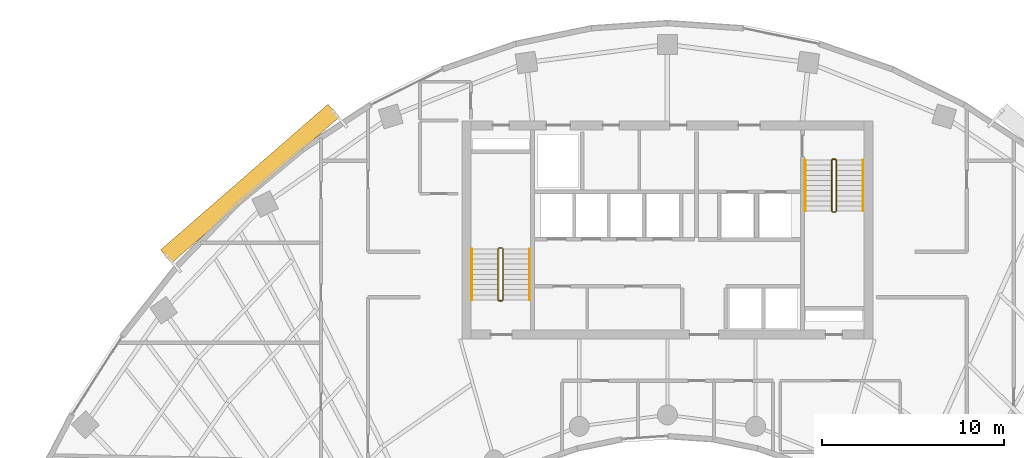
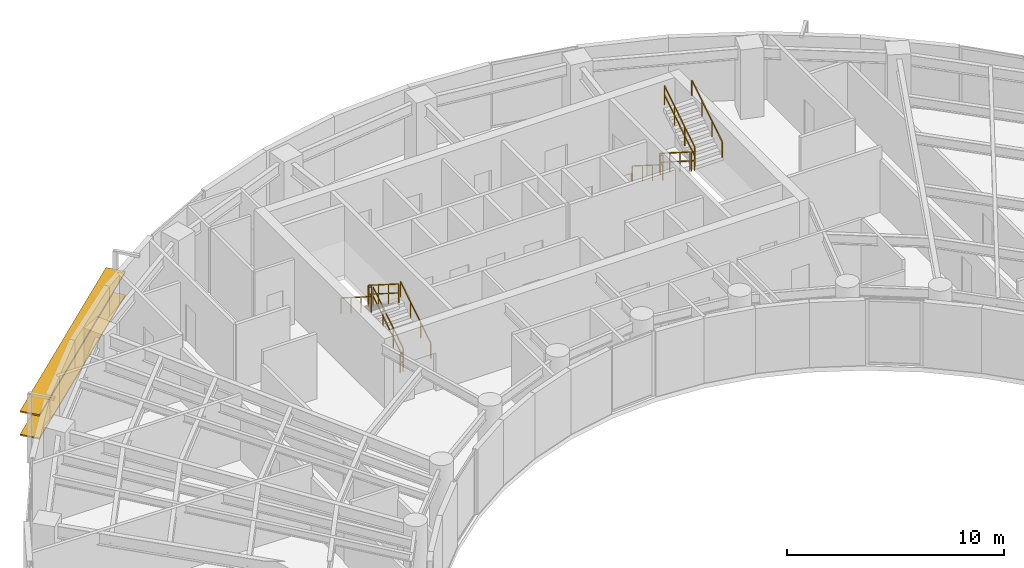
# One storey, part 12 of 13: 12 railings, 2 shading devices.
"""IFC4 building model written with IfcOpenShell, lengths in metres."""

from ifc_helpers import new_model, si_unit, direction, frame, origin, origin_2d, place, context, subcontext, project, spatial, rectangle, extrude, source, transform, mapped, material, material_profile, profile_set, type_object, type_shapes, element, save


model = new_model("IFC4")

# Units and contexts
model_context = context("Model", 3, precision=1e-05, world=origin(), true_north=direction((0.0, 1.0)))
body_context = subcontext(model_context, "Body", "Model", "MODEL_VIEW")
ifc_project = project(units=[si_unit("LENGTHUNIT", "METRE"), si_unit("AREAUNIT", "SQUARE_METRE"), si_unit("VOLUMEUNIT", "CUBIC_METRE"), si_unit("PLANEANGLEUNIT", "RADIAN"), si_unit("MASSUNIT", "GRAM", prefix="KILO")], contexts=[model_context])

# Site, building, storey
site_placement = place(None, origin())
site = spatial("IfcSite", under=ifc_project, at=site_placement, CompositionType="ELEMENT")
building_placement = place(site_placement, origin())
building = spatial("IfcBuilding", under=site, at=building_placement, Name="Breltana Convention Tower", CompositionType="ELEMENT")
storey_placement = place(building_placement, frame((0.0, 0.0, 166.199951171875)))
storey = spatial("IfcBuildingStorey", under=building, at=storey_placement, Name="L40", CompositionType="ELEMENT", Elevation=166.199951171875)

# Railings
ifc_material_1 = material(Name="Steel S275 Painted", Category="steel")
railing_type_1 = type_object("IfcRailingType", Name="RL-STAIR-GUARD-1100", PredefinedType="GUARDRAIL", material=ifc_material_1)
railing_1_placement = place(storey_placement, frame((38.9599609375, 62.360107421875, 0.17724609375)))
element("IfcRailing", 1, at=railing_1_placement, inside=storey, type_object=railing_type_1, Name="L40 ST-1 stair guard 1", PredefinedType="GUARDRAIL", context=body_context, shape_type="SweptSolid", body=[
    extrude(rectangle(XDim=0.048095703125, YDim=0.048095703125, at=origin_2d()), frame((0.0, 0.0, 1.076171875), z_axis=(0.0, 0.844887892834, 0.53494340686), x_axis=(-1.0, 0.0, 0.0)), (0.0, 0.0, 1.0), 3.313720703125),
    extrude(rectangle(XDim=0.048095703125, YDim=0.048095703125, at=origin_2d()), frame((0.0, 0.0, 0.572021484375), z_axis=(0.0, 0.844887892834, 0.53494340686), x_axis=(-1.0, 0.0, 0.0)), (0.0, 0.0, 1.0), 3.313720703125),
    extrude(rectangle(XDim=0.0419921875, YDim=0.0419921875, at=origin_2d()), origin(), (0.0, 0.0, 1.0), 1.052001953125),
    extrude(rectangle(XDim=0.0419921875, YDim=0.0419921875, at=origin_2d()), frame((0.0, 0.933349609375, 0.5908203125)), (0.0, 0.0, 1.0), 1.052001953125),
    extrude(rectangle(XDim=0.0419921875, YDim=0.0419921875, at=origin_2d()), frame((0.0, 1.866455078125, 1.181884765625)), (0.0, 0.0, 1.0), 1.052001953125),
    extrude(rectangle(XDim=0.0419921875, YDim=0.0419921875, at=origin_2d()), frame((0.0, 2.7998046875, 1.772705078125)), (0.0, 0.0, 1.0), 1.052001953125),
])
railing_2_placement = place(storey_placement, frame((38.909912109375, 65.2099609375, 1.949951171875)))
element("IfcRailing", 2, at=railing_2_placement, inside=storey, type_object=railing_type_1, Name="L40 ST-1 stair guard 2", PredefinedType="GUARDRAIL", context=body_context, shape_type="SweptSolid", body=[
    extrude(rectangle(XDim=0.048095703125, YDim=0.048095703125, at=origin_2d()), frame((0.0, 0.0, 1.076171875), z_axis=(-1.0, 0.0, 0.0), x_axis=(0.0, -1.0, 0.0)), (0.0, 0.0, 1.0), 0.14990234375),
    extrude(rectangle(XDim=0.048095703125, YDim=0.048095703125, at=origin_2d()), frame((0.0, 0.0, 0.572021484375), z_axis=(-1.0, 0.0, 0.0), x_axis=(0.0, -1.0, 0.0)), (0.0, 0.0, 1.0), 0.14990234375),
    extrude(rectangle(XDim=0.0419921875, YDim=0.0419921875, at=origin_2d()), origin(), (0.0, 0.0, 1.0), 1.052001953125),
    extrude(rectangle(XDim=0.0419921875, YDim=0.0419921875, at=origin_2d()), frame((-0.14990234375, 0.0, 0.0)), (0.0, 0.0, 1.0), 1.052001953125),
])
railing_3_placement = place(storey_placement, frame((38.7099609375, 65.159912109375, 2.12744140625)))
element("IfcRailing", 3, at=railing_3_placement, inside=storey, type_object=railing_type_1, Name="L40 ST-1 stair guard 3", PredefinedType="GUARDRAIL", context=body_context, shape_type="SweptSolid", body=[
    extrude(rectangle(XDim=0.048095703125, YDim=0.048095703125, at=origin_2d()), frame((0.0, 0.0, 1.076171875), z_axis=(0.0, -0.844887892834, 0.53494340686), x_axis=(1.0, 0.0, 0.0)), (0.0, 0.0, 1.0), 3.313720703125),
    extrude(rectangle(XDim=0.048095703125, YDim=0.048095703125, at=origin_2d()), frame((0.0, 0.0, 0.572021484375), z_axis=(0.0, -0.844887892834, 0.53494340686), x_axis=(1.0, 0.0, 0.0)), (0.0, 0.0, 1.0), 3.313720703125),
    extrude(rectangle(XDim=0.0419921875, YDim=0.0419921875, at=origin_2d()), origin(), (0.0, 0.0, 1.0), 1.052001953125),
    extrude(rectangle(XDim=0.0419921875, YDim=0.0419921875, at=origin_2d()), frame((0.0, -0.933349609375, 0.5908203125)), (0.0, 0.0, 1.0), 1.052001953125),
    extrude(rectangle(XDim=0.0419921875, YDim=0.0419921875, at=origin_2d()), frame((0.0, -1.866455078125, 1.181884765625)), (0.0, 0.0, 1.0), 1.052001953125),
    extrude(rectangle(XDim=0.0419921875, YDim=0.0419921875, at=origin_2d()), frame((0.0, -2.7998046875, 1.772705078125)), (0.0, 0.0, 1.0), 1.052001953125),
])
railing_4_placement = place(storey_placement, frame((38.909912109375, 62.31005859375, 0.0)))
element("IfcRailing", 4, at=railing_4_placement, inside=storey, type_object=railing_type_1, Name="L40 ST-1 stair guard 4", PredefinedType="GUARDRAIL", context=body_context, shape_type="SweptSolid", body=[
    extrude(rectangle(XDim=0.048095703125, YDim=0.048095703125, at=origin_2d()), frame((0.0, 0.0, 1.076171875), z_axis=(-1.0, 0.0, 0.0), x_axis=(0.0, -1.0, 0.0)), (0.0, 0.0, 1.0), 0.14990234375),
    extrude(rectangle(XDim=0.048095703125, YDim=0.048095703125, at=origin_2d()), frame((0.0, 0.0, 0.572021484375), z_axis=(-1.0, 0.0, 0.0), x_axis=(0.0, -1.0, 0.0)), (0.0, 0.0, 1.0), 0.14990234375),
    extrude(rectangle(XDim=0.0419921875, YDim=0.0419921875, at=origin_2d()), origin(), (0.0, 0.0, 1.0), 1.052001953125),
    extrude(rectangle(XDim=0.0419921875, YDim=0.0419921875, at=origin_2d()), frame((-0.14990234375, 0.0, 0.0)), (0.0, 0.0, 1.0), 1.052001953125),
])
railing_5_placement = place(storey_placement, frame((57.0400390625, 70.0400390625, 0.17724609375)))
element("IfcRailing", 5, at=railing_5_placement, inside=storey, type_object=railing_type_1, Name="L40 ST-2 stair guard 1", PredefinedType="GUARDRAIL", context=body_context, shape_type="SweptSolid", body=[
    extrude(rectangle(XDim=0.048095703125, YDim=0.048095703125, at=origin_2d()), frame((0.0, 0.0, 1.076171875), z_axis=(0.0, -0.844908973607, 0.534910110503), x_axis=(1.0, 0.0, 0.0)), (0.0, 0.0, 1.0), 3.31396484375),
    extrude(rectangle(XDim=0.048095703125, YDim=0.048095703125, at=origin_2d()), frame((0.0, 0.0, 0.572021484375), z_axis=(0.0, -0.844908973607, 0.534910110503), x_axis=(1.0, 0.0, 0.0)), (0.0, 0.0, 1.0), 3.31396484375),
    extrude(rectangle(XDim=0.0419921875, YDim=0.0419921875, at=origin_2d()), origin(), (0.0, 0.0, 1.0), 1.052001953125),
    extrude(rectangle(XDim=0.0419921875, YDim=0.0419921875, at=origin_2d()), frame((0.0, -0.933349609375, 0.5908203125)), (0.0, 0.0, 1.0), 1.052001953125),
    extrude(rectangle(XDim=0.0419921875, YDim=0.0419921875, at=origin_2d()), frame((0.0, -1.86669921875, 1.181884765625)), (0.0, 0.0, 1.0), 1.052001953125),
    extrude(rectangle(XDim=0.0419921875, YDim=0.0419921875, at=origin_2d()), frame((0.0, -2.800048828125, 1.772705078125)), (0.0, 0.0, 1.0), 1.052001953125),
])
railing_6_placement = place(storey_placement, frame((57.090087890625, 67.18994140625, 1.949951171875)))
element("IfcRailing", 6, at=railing_6_placement, inside=storey, type_object=railing_type_1, Name="L40 ST-2 stair guard 2", PredefinedType="GUARDRAIL", context=body_context, shape_type="SweptSolid", body=[
    extrude(rectangle(XDim=0.048095703125, YDim=0.048095703125, at=origin_2d()), frame((0.0, 0.0, 1.076171875), z_axis=(1.0, 0.0, 0.0), x_axis=(0.0, 1.0, 0.0)), (0.0, 0.0, 1.0), 0.14990234375),
    extrude(rectangle(XDim=0.048095703125, YDim=0.048095703125, at=origin_2d()), frame((0.0, 0.0, 0.572021484375), z_axis=(1.0, 0.0, 0.0), x_axis=(0.0, 1.0, 0.0)), (0.0, 0.0, 1.0), 0.14990234375),
    extrude(rectangle(XDim=0.0419921875, YDim=0.0419921875, at=origin_2d()), origin(), (0.0, 0.0, 1.0), 1.052001953125),
    extrude(rectangle(XDim=0.0419921875, YDim=0.0419921875, at=origin_2d()), frame((0.14990234375, 0.0, 0.0)), (0.0, 0.0, 1.0), 1.052001953125),
])
railing_7_placement = place(storey_placement, frame((57.2900390625, 67.239990234375, 2.12744140625)))
element("IfcRailing", 7, at=railing_7_placement, inside=storey, type_object=railing_type_1, Name="L40 ST-2 stair guard 3", PredefinedType="GUARDRAIL", context=body_context, shape_type="SweptSolid", body=[
    extrude(rectangle(XDim=0.048095703125, YDim=0.048095703125, at=origin_2d()), frame((0.0, 0.0, 1.076171875), z_axis=(0.0, 0.844908973607, 0.534910110503), x_axis=(-1.0, 0.0, 0.0)), (0.0, 0.0, 1.0), 3.31396484375),
    extrude(rectangle(XDim=0.048095703125, YDim=0.048095703125, at=origin_2d()), frame((0.0, 0.0, 0.572021484375), z_axis=(0.0, 0.844908973607, 0.534910110503), x_axis=(-1.0, 0.0, 0.0)), (0.0, 0.0, 1.0), 3.31396484375),
    extrude(rectangle(XDim=0.0419921875, YDim=0.0419921875, at=origin_2d()), origin(), (0.0, 0.0, 1.0), 1.052001953125),
    extrude(rectangle(XDim=0.0419921875, YDim=0.0419921875, at=origin_2d()), frame((0.0, 0.933349609375, 0.5908203125)), (0.0, 0.0, 1.0), 1.052001953125),
    extrude(rectangle(XDim=0.0419921875, YDim=0.0419921875, at=origin_2d()), frame((0.0, 1.86669921875, 1.181884765625)), (0.0, 0.0, 1.0), 1.052001953125),
    extrude(rectangle(XDim=0.0419921875, YDim=0.0419921875, at=origin_2d()), frame((0.0, 2.800048828125, 1.772705078125)), (0.0, 0.0, 1.0), 1.052001953125),
])
railing_8_placement = place(storey_placement, frame((57.090087890625, 70.090087890625, 0.0)))
element("IfcRailing", 8, at=railing_8_placement, inside=storey, type_object=railing_type_1, Name="L40 ST-2 stair guard 4", PredefinedType="GUARDRAIL", context=body_context, shape_type="SweptSolid", body=[
    extrude(rectangle(XDim=0.048095703125, YDim=0.048095703125, at=origin_2d()), frame((0.0, 0.0, 1.076171875), z_axis=(1.0, 0.0, 0.0), x_axis=(0.0, 1.0, 0.0)), (0.0, 0.0, 1.0), 0.14990234375),
    extrude(rectangle(XDim=0.048095703125, YDim=0.048095703125, at=origin_2d()), frame((0.0, 0.0, 0.572021484375), z_axis=(1.0, 0.0, 0.0), x_axis=(0.0, 1.0, 0.0)), (0.0, 0.0, 1.0), 0.14990234375),
    extrude(rectangle(XDim=0.0419921875, YDim=0.0419921875, at=origin_2d()), origin(), (0.0, 0.0, 1.0), 1.052001953125),
    extrude(rectangle(XDim=0.0419921875, YDim=0.0419921875, at=origin_2d()), frame((0.14990234375, 0.0, 0.0)), (0.0, 0.0, 1.0), 1.052001953125),
])
ifc_material_2 = material(Name="Stainless Steel 316L", Category="steel")
railing_type_2 = type_object("IfcRailingType", Name="RL-STAIR-HANDRAIL-900", PredefinedType="HANDRAIL", material=ifc_material_2)
railing_9_placement = place(storey_placement, frame((40.419921875, 62.360107421875, 0.17724609375)))
element("IfcRailing", 9, at=railing_9_placement, inside=storey, type_object=railing_type_2, Name="L40 ST-1 stair handrail 1", PredefinedType="HANDRAIL", context=body_context, shape_type="SweptSolid", body=[
    extrude(rectangle(XDim=0.048095703125, YDim=0.048095703125, at=origin_2d()), frame((0.0, 0.0, 0.8759765625), z_axis=(0.0, 0.844887892834, 0.53494340686), x_axis=(-1.0, 0.0, 0.0)), (0.0, 0.0, 1.0), 3.313720703125),
    extrude(rectangle(XDim=0.0419921875, YDim=0.0419921875, at=origin_2d()), origin(), (0.0, 0.0, 1.0), 0.851806640625),
    extrude(rectangle(XDim=0.0419921875, YDim=0.0419921875, at=origin_2d()), frame((0.0, 0.933349609375, 0.5908203125)), (0.0, 0.0, 1.0), 0.851806640625),
    extrude(rectangle(XDim=0.0419921875, YDim=0.0419921875, at=origin_2d()), frame((0.0, 1.866455078125, 1.181884765625)), (0.0, 0.0, 1.0), 0.851806640625),
    extrude(rectangle(XDim=0.0419921875, YDim=0.0419921875, at=origin_2d()), frame((0.0, 2.7998046875, 1.772705078125)), (0.0, 0.0, 1.0), 0.851806640625),
])
railing_10_placement = place(storey_placement, frame((37.25, 65.159912109375, 2.12744140625)))
element("IfcRailing", 10, at=railing_10_placement, inside=storey, type_object=railing_type_2, Name="L40 ST-1 stair handrail 2", PredefinedType="HANDRAIL", context=body_context, shape_type="SweptSolid", body=[
    extrude(rectangle(XDim=0.048095703125, YDim=0.048095703125, at=origin_2d()), frame((0.0, 0.0, 0.8759765625), z_axis=(0.0, -0.844887892834, 0.53494340686), x_axis=(1.0, 0.0, 0.0)), (0.0, 0.0, 1.0), 3.313720703125),
    extrude(rectangle(XDim=0.0419921875, YDim=0.0419921875, at=origin_2d()), origin(), (0.0, 0.0, 1.0), 0.851806640625),
    extrude(rectangle(XDim=0.0419921875, YDim=0.0419921875, at=origin_2d()), frame((0.0, -0.933349609375, 0.5908203125)), (0.0, 0.0, 1.0), 0.851806640625),
    extrude(rectangle(XDim=0.0419921875, YDim=0.0419921875, at=origin_2d()), frame((0.0, -1.866455078125, 1.181884765625)), (0.0, 0.0, 1.0), 0.851806640625),
    extrude(rectangle(XDim=0.0419921875, YDim=0.0419921875, at=origin_2d()), frame((0.0, -2.7998046875, 1.772705078125)), (0.0, 0.0, 1.0), 0.851806640625),
])
railing_11_placement = place(storey_placement, frame((55.580078125, 70.0400390625, 0.17724609375)))
element("IfcRailing", 11, at=railing_11_placement, inside=storey, type_object=railing_type_2, Name="L40 ST-2 stair handrail 1", PredefinedType="HANDRAIL", context=body_context, shape_type="SweptSolid", body=[
    extrude(rectangle(XDim=0.048095703125, YDim=0.048095703125, at=origin_2d()), frame((0.0, 0.0, 0.8759765625), z_axis=(0.0, -0.844908973607, 0.534910110503), x_axis=(1.0, 0.0, 0.0)), (0.0, 0.0, 1.0), 3.31396484375),
    extrude(rectangle(XDim=0.0419921875, YDim=0.0419921875, at=origin_2d()), origin(), (0.0, 0.0, 1.0), 0.851806640625),
    extrude(rectangle(XDim=0.0419921875, YDim=0.0419921875, at=origin_2d()), frame((0.0, -0.933349609375, 0.5908203125)), (0.0, 0.0, 1.0), 0.851806640625),
    extrude(rectangle(XDim=0.0419921875, YDim=0.0419921875, at=origin_2d()), frame((0.0, -1.86669921875, 1.181884765625)), (0.0, 0.0, 1.0), 0.851806640625),
    extrude(rectangle(XDim=0.0419921875, YDim=0.0419921875, at=origin_2d()), frame((0.0, -2.800048828125, 1.772705078125)), (0.0, 0.0, 1.0), 0.851806640625),
])
railing_12_placement = place(storey_placement, frame((58.75, 67.239990234375, 2.12744140625)))
element("IfcRailing", 12, at=railing_12_placement, inside=storey, type_object=railing_type_2, Name="L40 ST-2 stair handrail 2", PredefinedType="HANDRAIL", context=body_context, shape_type="SweptSolid", body=[
    extrude(rectangle(XDim=0.048095703125, YDim=0.048095703125, at=origin_2d()), frame((0.0, 0.0, 0.8759765625), z_axis=(0.0, 0.844908973607, 0.534910110503), x_axis=(-1.0, 0.0, 0.0)), (0.0, 0.0, 1.0), 3.31396484375),
    extrude(rectangle(XDim=0.0419921875, YDim=0.0419921875, at=origin_2d()), origin(), (0.0, 0.0, 1.0), 0.851806640625),
    extrude(rectangle(XDim=0.0419921875, YDim=0.0419921875, at=origin_2d()), frame((0.0, 0.933349609375, 0.5908203125)), (0.0, 0.0, 1.0), 0.851806640625),
    extrude(rectangle(XDim=0.0419921875, YDim=0.0419921875, at=origin_2d()), frame((0.0, 1.86669921875, 1.181884765625)), (0.0, 0.0, 1.0), 0.851806640625),
    extrude(rectangle(XDim=0.0419921875, YDim=0.0419921875, at=origin_2d()), frame((0.0, 2.800048828125, 1.772705078125)), (0.0, 0.0, 1.0), 0.851806640625),
])

# Shading devices
ifc_material_3 = material(Name="Limestone Warm Buff Honed", Category="masonry")
ifc_material_profile = material_profile(ifc_material_3, rectangle(XDim=0.949951171875, YDim=0.080078125, at=origin_2d()), Name="STN-LVR-950X80")
ifc_profile_set = profile_set([ifc_material_profile], Name="Limestone Warm Buff Honed")
shading_device_type = type_object("IfcShadingDeviceType", Name="SHD-OUTER-SKIN-LIMESTONE-950", PredefinedType="JALOUSIE", material=ifc_profile_set)
shared_shape = source(origin(), body_context, "Body", "SweptSolid", [
    extrude(rectangle(XDim=0.949951171875, YDim=0.080078125, at=origin_2d()), origin(), (0.0, 0.0, 1.0), 12.1943359375),
])
type_shapes(shading_device_type, [shared_shape])
for number, where, z_axis, x_axis, name in (
    (13, (20.451904296875, 64.74951171875, 1.31396484375), (0.754361083307, 0.656459713914, 0.0), (-0.656459713914, 0.754361083307, 0.0), "L40 outer skin warm limestone louvre 1.1"),
    (14, (20.451904296875, 64.74951171875, 2.6279296875), (0.754361083307, 0.656459713914, 0.0), (-0.656459713914, 0.754361083307, 0.0), "L40 outer skin warm limestone louvre 1.2"),
):
    element("IfcShadingDevice", number, at=place(storey_placement, frame(where, z_axis=z_axis, x_axis=x_axis)), inside=storey, type_object=shading_device_type, Name=name, PredefinedType="JALOUSIE", context=body_context, shape_type="MappedRepresentation", body=[
        mapped(shared_shape, transform((0.0, 0.0, 0.0), scale=1.0)),
    ])

save(model, "model.ifc")
